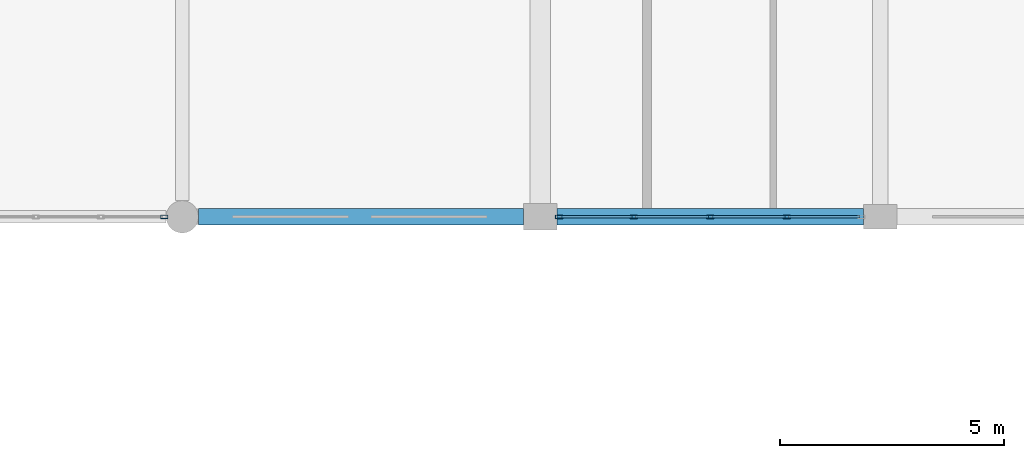
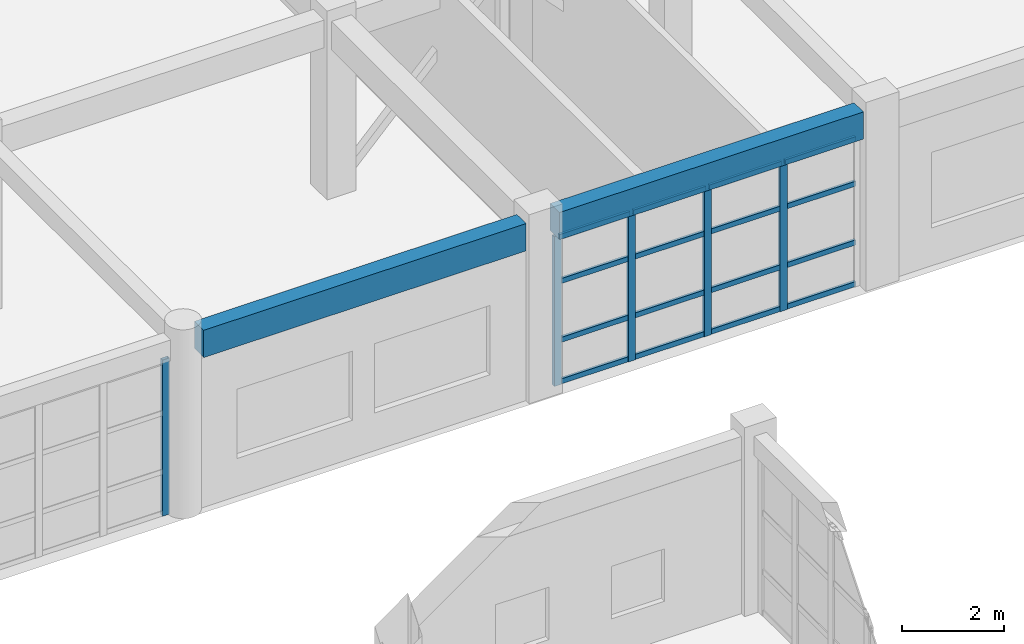
# One storey, part 92 of 160: 21 members, 2 beams, 2 elements without a shape of their own.
"""IFC4 building model written with IfcOpenShell, lengths in metres."""

import ifcopenshell
import ifcopenshell.guid

model = None  # the IFC model being written
_history = None  # IfcOwnerHistory: only IFC2X3 demands one
_inside = {}  # id of a spatial element -> (the spatial element, [elements in it])
_under = {}  # id of a project, library or spatial element -> (it, [spatial elements below it])
_declared = {}  # id of a project -> (the project, [libraries it declares])
_typed = {}  # id of a type object -> (the type object, [elements of that type])
_made_of = {}  # id of a material, layer set ... -> (it, [elements and type objects made of it])


def new_model(schema):
    """Start an empty IFC model of exactly this schema.

    Asked for "IFC4X3", IfcOpenShell would pick the latest addendum, in which some entities
    have other attributes; the version numbers below select the first issue.
    IFC2X3 requires an IfcOwnerHistory on every rooted entity: one is made here for all.
    """
    global model, _history
    if schema == "IFC4X3":
        model = ifcopenshell.file(schema_version=(4, 3, 0, 0))
    else:
        model = ifcopenshell.file(schema=schema)
    _inside.clear()
    _under.clear()
    _declared.clear()
    _typed.clear()
    _made_of.clear()
    _history = None
    if model.schema == "IFC2X3":
        org = make("IfcOrganization", Name="unknown")
        user = make(
            "IfcPersonAndOrganization",
            ThePerson=make("IfcPerson", FamilyName="unknown"),
            TheOrganization=org,
        )
        app = make(
            "IfcApplication",
            ApplicationDeveloper=org,
            Version="unknown",
            ApplicationFullName="unknown",
            ApplicationIdentifier="unknown",
        )
        _history = make(
            "IfcOwnerHistory",
            OwningUser=user,
            OwningApplication=app,
            ChangeAction="ADDED",
            CreationDate=0,
        )
    return model


def make(cls, **values):
    """One entity of the class cls with the attributes given. An attribute that is None is left unset."""
    return model.create_entity(
        cls, **{name: value for name, value in values.items() if value is not None}
    )


def rooted(cls, **values):
    """An entity with a GlobalId (a new one), such as an element, a storey or a relation."""
    return make(cls, GlobalId=ifcopenshell.guid.new(), OwnerHistory=_history, **values)


def si_unit(unit_type, name, prefix=None):
    """IfcSIUnit, for example si_unit("LENGTHUNIT", "METRE", prefix="MILLI")."""
    return make("IfcSIUnit", UnitType=unit_type, Prefix=prefix, Name=name)


def assignment(units):
    """IfcUnitAssignment: the units of a project."""
    return None if units is None else make("IfcUnitAssignment", Units=units)


def point(xyz):
    """IfcCartesianPoint."""
    return None if xyz is None else make("IfcCartesianPoint", Coordinates=xyz)


def direction(xyz):
    """IfcDirection."""
    return None if xyz is None else make("IfcDirection", DirectionRatios=xyz)


def frame(location, z_axis=None, x_axis=None):
    """IfcAxis2Placement3D, a coordinate frame: its origin and axes. An axis left out is left unset."""
    return make(
        "IfcAxis2Placement3D",
        Location=point(location),
        Axis=direction(z_axis),
        RefDirection=direction(x_axis),
    )


def frame_2d(location, x_axis=None):
    """IfcAxis2Placement2D, a coordinate frame in the plane: its origin and x axis."""
    return make(
        "IfcAxis2Placement2D", Location=point(location), RefDirection=direction(x_axis)
    )


def origin():
    """The frame at (0, 0, 0) with its axes left unset."""
    return frame((0.0, 0.0, 0.0))


def origin_2d():
    """The frame at (0, 0) in the plane with its x axis left unset."""
    return frame_2d((0.0, 0.0))


def place(relative_to, where):
    """IfcLocalPlacement: puts the frame where relative to a parent placement (None: the world)."""
    return make(
        "IfcLocalPlacement", PlacementRelTo=relative_to, RelativePlacement=where
    )


def context(
    kind, dimensions, precision=None, world=None, true_north=None, identifier=None
):
    """IfcGeometricRepresentationContext, for example the 3D "Model" context."""
    return make(
        "IfcGeometricRepresentationContext",
        ContextIdentifier=identifier,
        ContextType=kind,
        CoordinateSpaceDimension=dimensions,
        Precision=precision,
        WorldCoordinateSystem=world,
        TrueNorth=true_north,
    )


def subcontext(parent, identifier, kind, view, scale=None):
    """IfcGeometricRepresentationSubContext, for example "Body" below "Model"."""
    return make(
        "IfcGeometricRepresentationSubContext",
        ContextIdentifier=identifier,
        ContextType=kind,
        ParentContext=parent,
        TargetScale=scale,
        TargetView=view,
    )


def project(units=None, contexts=None):
    """IfcProject with its units and contexts."""
    return rooted(
        "IfcProject",
        Name="project",
        RepresentationContexts=contexts,
        UnitsInContext=assignment(units),
    )


def spatial(cls, under=None, at=None, **own):
    """A site, building, storey or space (cls), placed at a placement, below another one or the project."""
    s = rooted(cls, ObjectPlacement=at, **own)
    if under is not None:
        _under.setdefault(under.id(), (under, []))[1].append(s)
    return s


def profile(cls, at=None, kind="AREA", **sizes):
    """A parametric profile (cls). Its sizes go by their IFC names, for example OverallWidth=200.0."""
    return make(cls, ProfileType=kind, Position=at, **sizes)


def rectangle(**sizes):
    """IfcRectangleProfileDef."""
    return profile("IfcRectangleProfileDef", **sizes)


def hollow_rectangle(**sizes):
    """IfcRectangleHollowProfileDef."""
    return profile("IfcRectangleHollowProfileDef", **sizes)


def extrude(swept, where, along, depth):
    """IfcExtrudedAreaSolid: the profile swept, set in the frame where, extruded along a direction by depth."""
    return make(
        "IfcExtrudedAreaSolid",
        SweptArea=swept,
        Position=where,
        ExtrudedDirection=direction(along),
        Depth=depth,
    )


def shape(context_of_items, identifier, shape_type, items):
    """IfcShapeRepresentation: the items that make up one representation, for example the "Body"."""
    return make(
        "IfcShapeRepresentation",
        ContextOfItems=context_of_items,
        RepresentationIdentifier=identifier,
        RepresentationType=shape_type,
        Items=items,
    )


def material(Name=None, Category=None):
    """IfcMaterial."""
    return make("IfcMaterial", Name=Name, Category=Category)


def material_profile(
    of_material, cross_section, Name=None, Category=None, Priority=None
):
    """IfcMaterialProfile: a cross section and its material."""
    return make(
        "IfcMaterialProfile",
        Name=Name,
        Material=of_material,
        Profile=cross_section,
        Priority=Priority,
        Category=Category,
    )


def profile_set(profiles, Name=None, composite=None):
    """IfcMaterialProfileSet."""
    return make(
        "IfcMaterialProfileSet",
        Name=Name,
        MaterialProfiles=profiles,
        CompositeProfile=composite,
    )


def made_of(thing, what):
    """Note that an element or type object is made of a material, layer set ...; save() writes the relation."""
    if what is not None:
        _made_of.setdefault(what.id(), (what, []))[1].append(thing)
    return thing


def type_object(cls, material=None, **own):
    """A type object (cls), such as IfcWallType, which elements share."""
    return made_of(rooted(cls, **own), material)


def element(
    cls,
    number,
    at=None,
    inside=None,
    cuts=None,
    type_object=None,
    material=None,
    context=None,
    identifier="Body",
    shape_type=None,
    held_by="IfcProductDefinitionShape",
    body=None,
    shapes=None,
    **own,
):
    """One element of the class cls, such as IfcWall. Its Tag is "e" and its number.

    at: its placement. inside: the storey or other place that contains it. cuts: it is an
    opening in that element (IfcRelVoidsElement). A single representation is given by context,
    identifier, shape_type and body (its items); several are given by shapes. held_by: the class
    of the entity that holds the representations. save() writes the other relations.
    """
    e = rooted(cls, Tag="e%d" % number, ObjectPlacement=at, **own)
    if body is not None:
        shapes = [shape(context, identifier, shape_type, body)]
    if shapes is not None:
        e.Representation = make(held_by, Representations=shapes)
    if inside is not None:
        _inside.setdefault(inside.id(), (inside, []))[1].append(e)
    if cuts is not None:
        rooted(
            "IfcRelVoidsElement", RelatingBuildingElement=cuts, RelatedOpeningElement=e
        )
    if type_object is not None:
        _typed.setdefault(type_object.id(), (type_object, []))[1].append(e)
    return made_of(e, material)


def aggregate(whole, parts):
    """IfcRelAggregates: a whole, such as a stair, and the parts it consists of."""
    return rooted("IfcRelAggregates", RelatingObject=whole, RelatedObjects=parts)


def save(model, path):
    """Write the relations noted so far, then the file.

    IfcRelAggregates (storeys below a building ...), IfcRelContainedInSpatialStructure (elements
    in a storey), IfcRelDefinesByType, IfcRelAssociatesMaterial and IfcRelDeclares: one each for
    every whole, place, type object, material and project.
    """
    for whole, parts in _under.values():
        aggregate(whole, parts)
    for where, things in _inside.values():
        rooted(
            "IfcRelContainedInSpatialStructure",
            RelatedElements=things,
            RelatingStructure=where,
        )
    for kind, things in _typed.values():
        rooted("IfcRelDefinesByType", RelatedObjects=things, RelatingType=kind)
    for what, things in _made_of.values():
        rooted("IfcRelAssociatesMaterial", RelatedObjects=things, RelatingMaterial=what)
    for by, libraries in _declared.values():
        rooted("IfcRelDeclares", RelatingContext=by, RelatedDefinitions=libraries)
    model.write(path)


model = new_model("IFC4")

# Units and contexts
model_context = context("Model", 3, precision=1e-05, world=origin(), true_north=direction((0.0, 1.0)))
body_context = subcontext(model_context, "Body", "Model", "MODEL_VIEW")
ifc_project = project(units=[si_unit("LENGTHUNIT", "METRE"), si_unit("AREAUNIT", "SQUARE_METRE"), si_unit("VOLUMEUNIT", "CUBIC_METRE"), si_unit("PLANEANGLEUNIT", "RADIAN"), si_unit("MASSUNIT", "GRAM", prefix="KILO")], contexts=[model_context])

# Site, building, storey
site_placement = place(None, origin())
site = spatial("IfcSite", under=ifc_project, at=site_placement, CompositionType="ELEMENT")
building_placement = place(site_placement, origin())
building = spatial("IfcBuilding", under=site, at=building_placement, Name="Kharva Crest Polytechnic", CompositionType="ELEMENT")
storey_placement = place(building_placement, frame((0.0, 0.0, 4.5)))
storey = spatial("IfcBuildingStorey", under=building, at=storey_placement, Name="L01", CompositionType="ELEMENT", Elevation=4.5)

# Curtain wall, member
ifc_material_1 = material(Name="Tempered insulated glass", Category="glass")
curtain_wall_type = type_object("IfcCurtainWallType", Name="CW-SYS-COURT", PredefinedType="USERDEFINED", material=ifc_material_1)
curtain_wall_1_placement = place(storey_placement, origin())
curtain_wall_1 = element("IfcCurtainWall", 1, at=curtain_wall_1_placement, inside=storey, type_object=curtain_wall_type, Name="L01 Glazed Curtain Wall CW-056", ObjectType="CURTAIN WALL", PredefinedType="USERDEFINED")
ifc_material_2 = material(Name="Steel S355", Category="steel")
ifc_material_profile_1 = material_profile(ifc_material_2, hollow_rectangle(XDim=0.080078125, YDim=0.159912109375, WallThickness=0.0048828125, at=origin_2d()), Name="RHS 160X80X5.0")
ifc_profile_set_1 = profile_set([ifc_material_profile_1], Name="Steel S355")
member_type_1 = type_object("IfcMemberType", Name="CWM-RHS160X80", PredefinedType="MULLION", material=ifc_profile_set_1)
member_1_placement = place(storey_placement, frame((160.39501953125, 38.800048828125, 0.0), z_axis=(0.0, 0.0, 1.0), x_axis=(0.0, 1.0, 0.0)))
member_1 = element("IfcMember", 2, at=member_1_placement, type_object=member_type_1, Name="CW-056 mullion 6", PredefinedType="MULLION", context=body_context, shape_type="SweptSolid", body=[
    extrude(hollow_rectangle(XDim=0.080078125, YDim=0.159912109375, WallThickness=0.0048828125, at=origin_2d()), origin(), (0.0, 0.0, 1.0), 3.719970703125),
])
aggregate(curtain_wall_1, [member_1])

# Curtain wall, members
curtain_wall_2_placement = place(storey_placement, origin())
curtain_wall_2 = element("IfcCurtainWall", 3, at=curtain_wall_2_placement, inside=storey, type_object=curtain_wall_type, Name="L01 Glazed Curtain Wall CW-057", ObjectType="CURTAIN WALL", PredefinedType="USERDEFINED")
member_2_placement = place(storey_placement, frame((169.219970703125, 38.800048828125, 0.0), z_axis=(0.0, 0.0, 1.0), x_axis=(0.0, 1.0, 0.0)))
member_2 = element("IfcMember", 4, at=member_2_placement, type_object=member_type_1, Name="CW-057 mullion 1", PredefinedType="MULLION", context=body_context, shape_type="SweptSolid", body=[
    extrude(hollow_rectangle(XDim=0.080078125, YDim=0.159912109375, WallThickness=0.0048828125, at=origin_2d()), origin(), (0.0, 0.0, 1.0), 3.570068359375),
])
member_3_placement = place(storey_placement, frame((170.889892578125, 38.800048828125, 0.0), z_axis=(0.0, 0.0, 1.0), x_axis=(0.0, 1.0, 0.0)))
member_3 = element("IfcMember", 5, at=member_3_placement, type_object=member_type_1, Name="CW-057 mullion 2", PredefinedType="MULLION", context=body_context, shape_type="SweptSolid", body=[
    extrude(hollow_rectangle(XDim=0.080078125, YDim=0.159912109375, WallThickness=0.0048828125, at=origin_2d()), origin(), (0.0, 0.0, 1.0), 3.570068359375),
])
member_4_placement = place(storey_placement, frame((172.60009765625, 38.800048828125, 0.0), z_axis=(0.0, 0.0, 1.0), x_axis=(0.0, 1.0, 0.0)))
member_4 = element("IfcMember", 6, at=member_4_placement, type_object=member_type_1, Name="CW-057 mullion 3", PredefinedType="MULLION", context=body_context, shape_type="SweptSolid", body=[
    extrude(hollow_rectangle(XDim=0.080078125, YDim=0.159912109375, WallThickness=0.0048828125, at=origin_2d()), origin(), (0.0, 0.0, 1.0), 3.570068359375),
])
member_5_placement = place(storey_placement, frame((174.31005859375, 38.800048828125, 0.0), z_axis=(0.0, 0.0, 1.0), x_axis=(0.0, 1.0, 0.0)))
member_5 = element("IfcMember", 7, at=member_5_placement, type_object=member_type_1, Name="CW-057 mullion 4", PredefinedType="MULLION", context=body_context, shape_type="SweptSolid", body=[
    extrude(hollow_rectangle(XDim=0.080078125, YDim=0.159912109375, WallThickness=0.0048828125, at=origin_2d()), origin(), (0.0, 0.0, 1.0), 3.570068359375),
])
ifc_material_profile_2 = material_profile(ifc_material_2, hollow_rectangle(XDim=0.06005859375, YDim=0.1201171875, WallThickness=0.00390625, at=origin_2d()), Name="RHS 120X60X4.0")
ifc_profile_set_2 = profile_set([ifc_material_profile_2], Name="Steel S355")
member_type_2 = type_object("IfcMemberType", Name="CWT-RHS120X60", PredefinedType="USERDEFINED", material=ifc_profile_set_2)
member_6_placement = place(storey_placement, frame((169.260009765625, 38.800048828125, 0.06005859375), z_axis=(1.0, 0.0, 0.0), x_axis=(0.0, 1.0, 0.0)))
member_6 = element("IfcMember", 8, at=member_6_placement, type_object=member_type_2, Name="CW-057 transom 1.1", ObjectType="TRANSOM", PredefinedType="USERDEFINED", context=body_context, shape_type="SweptSolid", body=[
    extrude(hollow_rectangle(XDim=0.06005859375, YDim=0.1201171875, WallThickness=0.00390625, at=origin_2d()), origin(), (0.0, 0.0, 1.0), 1.590087890625),
])
member_7_placement = place(storey_placement, frame((169.260009765625, 38.800048828125, 1.050048828125), z_axis=(1.0, 0.0, 0.0), x_axis=(0.0, 1.0, 0.0)))
member_7 = element("IfcMember", 9, at=member_7_placement, type_object=member_type_2, Name="CW-057 transom 1.2", ObjectType="TRANSOM", PredefinedType="USERDEFINED", context=body_context, shape_type="SweptSolid", body=[
    extrude(hollow_rectangle(XDim=0.06005859375, YDim=0.1201171875, WallThickness=0.00390625, at=origin_2d()), origin(), (0.0, 0.0, 1.0), 1.590087890625),
])
member_8_placement = place(storey_placement, frame((169.260009765625, 38.800048828125, 2.449951171875), z_axis=(1.0, 0.0, 0.0), x_axis=(0.0, 1.0, 0.0)))
member_8 = element("IfcMember", 10, at=member_8_placement, type_object=member_type_2, Name="CW-057 transom 1.3", ObjectType="TRANSOM", PredefinedType="USERDEFINED", context=body_context, shape_type="SweptSolid", body=[
    extrude(hollow_rectangle(XDim=0.06005859375, YDim=0.1201171875, WallThickness=0.00390625, at=origin_2d()), origin(), (0.0, 0.0, 1.0), 1.590087890625),
])
member_9_placement = place(storey_placement, frame((169.260009765625, 38.800048828125, 3.510009765625), z_axis=(1.0, 0.0, 0.0), x_axis=(0.0, 1.0, 0.0)))
member_9 = element("IfcMember", 11, at=member_9_placement, type_object=member_type_2, Name="CW-057 transom 1.4", ObjectType="TRANSOM", PredefinedType="USERDEFINED", context=body_context, shape_type="SweptSolid", body=[
    extrude(hollow_rectangle(XDim=0.06005859375, YDim=0.1201171875, WallThickness=0.00390625, at=origin_2d()), origin(), (0.0, 0.0, 1.0), 1.590087890625),
])
member_10_placement = place(storey_placement, frame((170.929931640625, 38.800048828125, 0.06005859375), z_axis=(1.0, 0.0, 0.0), x_axis=(0.0, 1.0, 0.0)))
member_10 = element("IfcMember", 12, at=member_10_placement, type_object=member_type_2, Name="CW-057 transom 2.1", ObjectType="TRANSOM", PredefinedType="USERDEFINED", context=body_context, shape_type="SweptSolid", body=[
    extrude(hollow_rectangle(XDim=0.06005859375, YDim=0.1201171875, WallThickness=0.00390625, at=origin_2d()), origin(), (0.0, 0.0, 1.0), 1.630126953125),
])
member_11_placement = place(storey_placement, frame((170.929931640625, 38.800048828125, 1.050048828125), z_axis=(1.0, 0.0, 0.0), x_axis=(0.0, 1.0, 0.0)))
member_11 = element("IfcMember", 13, at=member_11_placement, type_object=member_type_2, Name="CW-057 transom 2.2", ObjectType="TRANSOM", PredefinedType="USERDEFINED", context=body_context, shape_type="SweptSolid", body=[
    extrude(hollow_rectangle(XDim=0.06005859375, YDim=0.1201171875, WallThickness=0.00390625, at=origin_2d()), origin(), (0.0, 0.0, 1.0), 1.630126953125),
])
member_12_placement = place(storey_placement, frame((170.929931640625, 38.800048828125, 2.449951171875), z_axis=(1.0, 0.0, 0.0), x_axis=(0.0, 1.0, 0.0)))
member_12 = element("IfcMember", 14, at=member_12_placement, type_object=member_type_2, Name="CW-057 transom 2.3", ObjectType="TRANSOM", PredefinedType="USERDEFINED", context=body_context, shape_type="SweptSolid", body=[
    extrude(hollow_rectangle(XDim=0.06005859375, YDim=0.1201171875, WallThickness=0.00390625, at=origin_2d()), origin(), (0.0, 0.0, 1.0), 1.630126953125),
])
member_13_placement = place(storey_placement, frame((170.929931640625, 38.800048828125, 3.510009765625), z_axis=(1.0, 0.0, 0.0), x_axis=(0.0, 1.0, 0.0)))
member_13 = element("IfcMember", 15, at=member_13_placement, type_object=member_type_2, Name="CW-057 transom 2.4", ObjectType="TRANSOM", PredefinedType="USERDEFINED", context=body_context, shape_type="SweptSolid", body=[
    extrude(hollow_rectangle(XDim=0.06005859375, YDim=0.1201171875, WallThickness=0.00390625, at=origin_2d()), origin(), (0.0, 0.0, 1.0), 1.630126953125),
])
member_14_placement = place(storey_placement, frame((172.639892578125, 38.800048828125, 0.06005859375), z_axis=(1.0, 0.0, 0.0), x_axis=(0.0, 1.0, 0.0)))
member_14 = element("IfcMember", 16, at=member_14_placement, type_object=member_type_2, Name="CW-057 transom 3.1", ObjectType="TRANSOM", PredefinedType="USERDEFINED", context=body_context, shape_type="SweptSolid", body=[
    extrude(hollow_rectangle(XDim=0.06005859375, YDim=0.1201171875, WallThickness=0.00390625, at=origin_2d()), origin(), (0.0, 0.0, 1.0), 1.630126953125),
])
member_15_placement = place(storey_placement, frame((172.639892578125, 38.800048828125, 1.050048828125), z_axis=(1.0, 0.0, 0.0), x_axis=(0.0, 1.0, 0.0)))
member_15 = element("IfcMember", 17, at=member_15_placement, type_object=member_type_2, Name="CW-057 transom 3.2", ObjectType="TRANSOM", PredefinedType="USERDEFINED", context=body_context, shape_type="SweptSolid", body=[
    extrude(hollow_rectangle(XDim=0.06005859375, YDim=0.1201171875, WallThickness=0.00390625, at=origin_2d()), origin(), (0.0, 0.0, 1.0), 1.630126953125),
])
member_16_placement = place(storey_placement, frame((172.639892578125, 38.800048828125, 2.449951171875), z_axis=(1.0, 0.0, 0.0), x_axis=(0.0, 1.0, 0.0)))
member_16 = element("IfcMember", 18, at=member_16_placement, type_object=member_type_2, Name="CW-057 transom 3.3", ObjectType="TRANSOM", PredefinedType="USERDEFINED", context=body_context, shape_type="SweptSolid", body=[
    extrude(hollow_rectangle(XDim=0.06005859375, YDim=0.1201171875, WallThickness=0.00390625, at=origin_2d()), origin(), (0.0, 0.0, 1.0), 1.630126953125),
])
member_17_placement = place(storey_placement, frame((172.639892578125, 38.800048828125, 3.510009765625), z_axis=(1.0, 0.0, 0.0), x_axis=(0.0, 1.0, 0.0)))
member_17 = element("IfcMember", 19, at=member_17_placement, type_object=member_type_2, Name="CW-057 transom 3.4", ObjectType="TRANSOM", PredefinedType="USERDEFINED", context=body_context, shape_type="SweptSolid", body=[
    extrude(hollow_rectangle(XDim=0.06005859375, YDim=0.1201171875, WallThickness=0.00390625, at=origin_2d()), origin(), (0.0, 0.0, 1.0), 1.630126953125),
])
member_18_placement = place(storey_placement, frame((174.35009765625, 38.800048828125, 0.06005859375), z_axis=(1.0, 0.0, 0.0), x_axis=(0.0, 1.0, 0.0)))
member_18 = element("IfcMember", 20, at=member_18_placement, type_object=member_type_2, Name="CW-057 transom 4.1", ObjectType="TRANSOM", PredefinedType="USERDEFINED", context=body_context, shape_type="SweptSolid", body=[
    extrude(hollow_rectangle(XDim=0.06005859375, YDim=0.1201171875, WallThickness=0.00390625, at=origin_2d()), origin(), (0.0, 0.0, 1.0), 1.58984375),
])
member_19_placement = place(storey_placement, frame((174.35009765625, 38.800048828125, 1.050048828125), z_axis=(1.0, 0.0, 0.0), x_axis=(0.0, 1.0, 0.0)))
member_19 = element("IfcMember", 21, at=member_19_placement, type_object=member_type_2, Name="CW-057 transom 4.2", ObjectType="TRANSOM", PredefinedType="USERDEFINED", context=body_context, shape_type="SweptSolid", body=[
    extrude(hollow_rectangle(XDim=0.06005859375, YDim=0.1201171875, WallThickness=0.00390625, at=origin_2d()), origin(), (0.0, 0.0, 1.0), 1.58984375),
])
member_20_placement = place(storey_placement, frame((174.35009765625, 38.800048828125, 2.449951171875), z_axis=(1.0, 0.0, 0.0), x_axis=(0.0, 1.0, 0.0)))
member_20 = element("IfcMember", 22, at=member_20_placement, type_object=member_type_2, Name="CW-057 transom 4.3", ObjectType="TRANSOM", PredefinedType="USERDEFINED", context=body_context, shape_type="SweptSolid", body=[
    extrude(hollow_rectangle(XDim=0.06005859375, YDim=0.1201171875, WallThickness=0.00390625, at=origin_2d()), origin(), (0.0, 0.0, 1.0), 1.58984375),
])
member_21_placement = place(storey_placement, frame((174.35009765625, 38.800048828125, 3.510009765625), z_axis=(1.0, 0.0, 0.0), x_axis=(0.0, 1.0, 0.0)))
member_21 = element("IfcMember", 23, at=member_21_placement, type_object=member_type_2, Name="CW-057 transom 4.4", ObjectType="TRANSOM", PredefinedType="USERDEFINED", context=body_context, shape_type="SweptSolid", body=[
    extrude(hollow_rectangle(XDim=0.06005859375, YDim=0.1201171875, WallThickness=0.00390625, at=origin_2d()), origin(), (0.0, 0.0, 1.0), 1.58984375),
])
aggregate(curtain_wall_2, [member_2, member_3, member_4, member_5, member_6, member_7, member_8, member_9, member_10, member_11, member_12, member_13, member_14, member_15, member_16, member_17, member_18, member_19, member_20, member_21])

# Beams
ifc_material_3 = material(Name="Concrete C35/45", Category="concrete")
ifc_material_profile_3 = material_profile(ifc_material_3, rectangle(XDim=0.360107421875, YDim=0.64990234375, at=origin_2d()), Name="RECT 360 X 650")
ifc_profile_set_3 = profile_set([ifc_material_profile_3], Name="Concrete C35/45")
beam_type = type_object("IfcBeamType", Name="SP-RC-360X650", PredefinedType="SPANDREL", material=ifc_profile_set_3)
beam_1_placement = place(storey_placement, frame((161.159912109375, 38.800048828125, 3.89501953125), z_axis=(1.0, 0.0, 0.0), x_axis=(0.0, 1.0, 0.0)))
element("IfcBeam", 24, at=beam_1_placement, inside=storey, type_object=beam_type, Name="L01 Beam FJ/21-22", PredefinedType="SPANDREL", context=body_context, shape_type="SweptSolid", body=[
    extrude(rectangle(XDim=0.360107421875, YDim=0.64990234375, at=origin_2d()), origin(), (0.0, 0.0, 1.0), 7.26513671875),
])
beam_2_placement = place(storey_placement, frame((169.175048828125, 38.800048828125, 3.89501953125), z_axis=(1.0, 0.0, 0.0), x_axis=(0.0, 1.0, 0.0)))
element("IfcBeam", 25, at=beam_2_placement, inside=storey, type_object=beam_type, Name="L01 Beam FJ/22-23", PredefinedType="SPANDREL", context=body_context, shape_type="SweptSolid", body=[
    extrude(rectangle(XDim=0.360107421875, YDim=0.64990234375, at=origin_2d()), origin(), (0.0, 0.0, 1.0), 6.849853515625),
])

save(model, "model.ifc")
